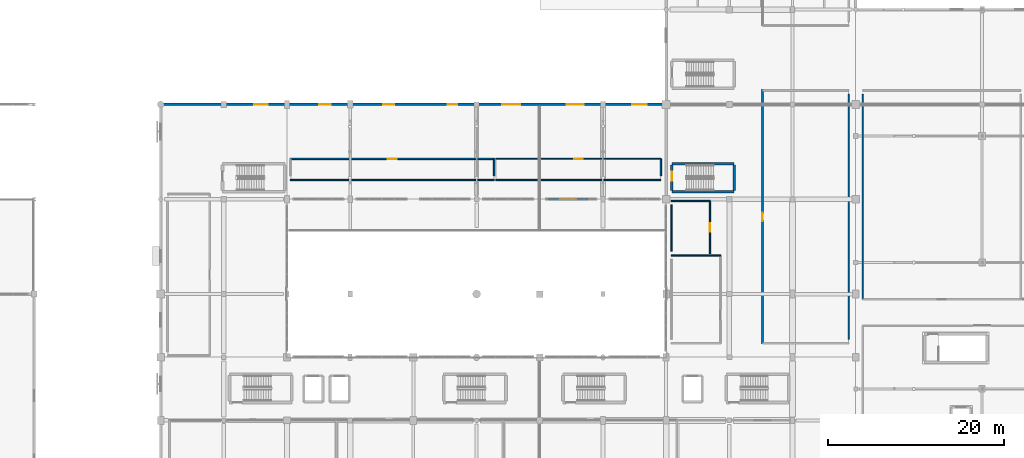
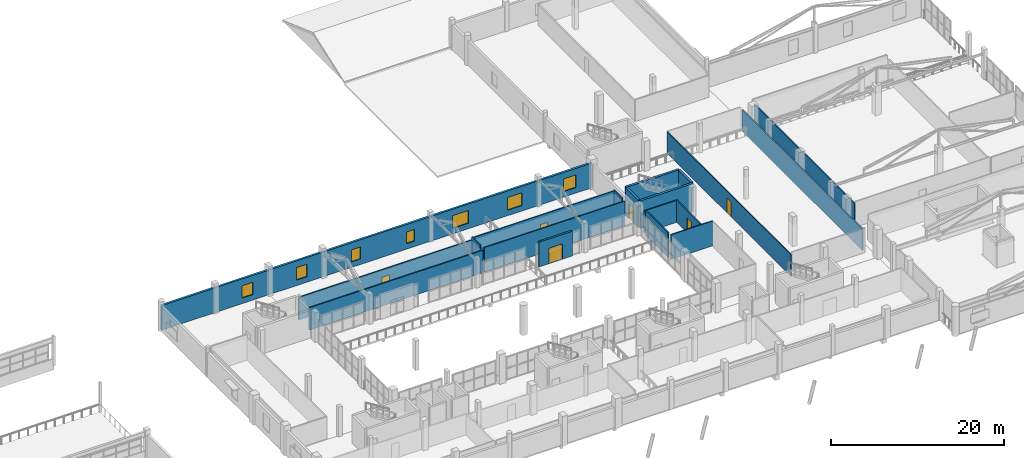
# One storey, part 69 of 92: 19 walls, 7 windows, 6 doors, 13 openings.
"""IFC4 building model written with IfcOpenShell, lengths in metres."""

from ifc_helpers import new_model, si_unit, direction, frame, frame_2d, origin, place, context, subcontext, project, spatial, rectangle, extrude, material, layer, layer_set, type_object, element, fill, save


model = new_model("IFC4")

# Units and contexts
model_context = context("Model", 3, precision=1e-05, world=origin(), true_north=direction((0.0, 1.0)))
body_context = subcontext(model_context, "Body", "Model", "MODEL_VIEW")
ifc_project = project(units=[si_unit("LENGTHUNIT", "METRE"), si_unit("AREAUNIT", "SQUARE_METRE"), si_unit("VOLUMEUNIT", "CUBIC_METRE"), si_unit("PLANEANGLEUNIT", "RADIAN"), si_unit("MASSUNIT", "GRAM", prefix="KILO")], contexts=[model_context])

# Site, building, storey
site_placement = place(None, origin())
site = spatial("IfcSite", under=ifc_project, at=site_placement, CompositionType="ELEMENT")
building_placement = place(site_placement, origin())
building = spatial("IfcBuilding", under=site, at=building_placement, Name="Solanera Park Tramway Depot", CompositionType="ELEMENT")
storey_placement = place(building_placement, frame((0.0, 0.0, 4.800048828125)))
storey = spatial("IfcBuildingStorey", under=building, at=storey_placement, Name="L01", CompositionType="ELEMENT", Elevation=4.800048828125)

# Wall, opening, door
ifc_material_1 = material(Name="Concrete N32 (C32/40)", Category="concrete")
ifc_layer_1 = layer(ifc_material_1, 0.125)
ifc_layer_set_1 = layer_set([ifc_layer_1], Name="Concrete N32 (C32/40)")
wall_type_1 = type_object("IfcWallType", Name="Acoustic Partition 125", PredefinedType="PARTITIONING", material=ifc_layer_set_1)
wall_1_placement = place(storey_placement, frame((146.199951171875, 47.800048828125, 0.0), z_axis=(0.0, 0.0, 1.0), x_axis=(1.0, 0.0, 0.0)))
wall_1 = element("IfcWall", 1, at=wall_1_placement, inside=storey, type_object=wall_type_1, Name="Driver Quiet Rest and Fatigue Recovery Corridor Wall", PredefinedType="PARTITIONING", context=body_context, shape_type="SweptSolid", body=[
    extrude(rectangle(XDim=18.800048828125, YDim=0.125, at=frame_2d((9.39990234375, 0.0))), origin(), (0.0, 0.0, 1.0), 3.478759765625),
])
opening_1_placement = place(wall_1_placement, frame((8.919921875, 0.0, 0.0)))
opening_1 = element("IfcOpeningElement", 2, at=opening_1_placement, cuts=wall_1, Name="Opening ID-O1L", PredefinedType="OPENING", context=body_context, shape_type="SweptSolid", body=[
    extrude(rectangle(XDim=0.9599609375, YDim=2.14990234375, at=frame_2d((0.47998046875, 1.074951171875))), frame((0.0, 0.072509765625, 0.0), z_axis=(0.0, -1.0, 0.0), x_axis=(1.0, 0.0, 0.0)), (0.0, 0.0, 1.0), 0.14501953125),
])
ifc_material_2 = material(Name="Fire-rated steel or solid-core hardwood door leaf", Category="steel")
door_type_1 = type_object("IfcDoorType", Name="Office Single Door L 960x2150", OperationType="SINGLE_SWING_LEFT", PredefinedType="DOOR", material=ifc_material_2)
door_1_placement = place(opening_1_placement, origin())
door_1 = element("IfcDoor", 3, at=door_1_placement, inside=storey, type_object=door_type_1, Name="Driver Quiet Rest and Fatigue Recovery Door", OperationType="SINGLE_SWING_LEFT", OverallHeight=2.14990234375, OverallWidth=0.9599609375, PredefinedType="DOOR", context=body_context, shape_type="SweptSolid", body=[
    extrude(rectangle(XDim=0.9599609375, YDim=2.14990234375, at=frame_2d((0.47998046875, 1.074951171875))), frame((0.0, 0.02490234375, 0.0), z_axis=(0.0, -1.0, 0.0), x_axis=(1.0, 0.0, 0.0)), (0.0, 0.0, 1.0), 0.050048828125),
])
fill(opening_1, door_1)

# Walls
ifc_material_3 = material(Name="Concrete N32 (C32/40)", Category="concrete")
ifc_layer_2 = layer(ifc_material_3, 0.14990234375)
ifc_layer_set_2 = layer_set([ifc_layer_2], Name="Concrete N32 (C32/40)")
wall_type_2 = type_object("IfcWallType", Name="Acoustic Partition 150", PredefinedType="PARTITIONING", material=ifc_layer_set_2)
wall_2_placement = place(storey_placement, frame((146.0, 45.39990234375, 0.0), z_axis=(0.0, 0.0, 1.0), x_axis=(-1.0, 0.0, 0.0)))
element("IfcWall", 4, at=wall_2_placement, inside=storey, type_object=wall_type_2, Name="Courtyard View Crew Dining Mess Hall Dividing Wall", PredefinedType="PARTITIONING", context=body_context, shape_type="SweptSolid", body=[
    extrude(rectangle(XDim=23.199951171875, YDim=0.14990234375, at=frame_2d((11.60009765625, 0.0))), origin(), (0.0, 0.0, 1.0), 3.17431640625),
])
wall_3_placement = place(storey_placement, frame((146.0, 45.85009765625, 0.0), z_axis=(0.0, 0.0, 1.0), x_axis=(0.0, 1.0, 0.0)))
element("IfcWall", 5, at=wall_3_placement, inside=storey, type_object=wall_type_2, Name="Courtyard View Crew Dining Mess Hall Dividing Wall", PredefinedType="PARTITIONING", context=body_context, shape_type="SweptSolid", body=[
    extrude(rectangle(XDim=1.949951171875, YDim=0.14990234375, at=frame_2d((0.97509765625, 0.0))), origin(), (0.0, 0.0, 1.0), 3.599853515625),
])
wall_4_placement = place(storey_placement, frame((165.0, 45.39990234375, 0.0), z_axis=(0.0, 0.0, 1.0), x_axis=(-1.0, 0.0, 0.0)))
element("IfcWall", 6, at=wall_4_placement, inside=storey, type_object=wall_type_2, Name="Driver Quiet Rest and Fatigue Recovery Dividing Wall", PredefinedType="PARTITIONING", context=body_context, shape_type="SweptSolid", body=[
    extrude(rectangle(XDim=18.800048828125, YDim=0.14990234375, at=frame_2d((9.39990234375, 0.0))), origin(), (0.0, 0.0, 1.0), 3.478759765625),
])
wall_5_placement = place(storey_placement, frame((165.0, 45.85009765625, 0.0), z_axis=(0.0, 0.0, 1.0), x_axis=(0.0, 1.0, 0.0)))
element("IfcWall", 7, at=wall_5_placement, inside=storey, type_object=wall_type_2, Name="Driver Quiet Rest and Fatigue Recovery Dividing Wall", PredefinedType="PARTITIONING", context=body_context, shape_type="SweptSolid", body=[
    extrude(rectangle(XDim=1.949951171875, YDim=0.14990234375, at=frame_2d((0.97509765625, 0.0))), origin(), (0.0, 0.0, 1.0), 3.599853515625),
])
wall_6_placement = place(storey_placement, frame((186.39990234375, 27.25, 0.0), z_axis=(0.0, 0.0, 1.0), x_axis=(0.0, 1.0, 0.0)))
element("IfcWall", 8, at=wall_6_placement, inside=storey, type_object=wall_type_2, Name="Fleet Maintenance Engineering Open Plan Dividing Wall", PredefinedType="PARTITIONING", context=body_context, shape_type="SweptSolid", body=[
    extrude(rectangle(XDim=27.89990234375, YDim=0.14990234375, at=frame_2d((13.949951171875, 0.0))), origin(), (0.0, 0.0, 1.0), 3.0068359375),
])
wall_7_placement = place(storey_placement, frame((188.0, 55.14990234375, 0.0), z_axis=(0.0, 0.0, 1.0), x_axis=(0.0, -1.0, 0.0)))
element("IfcWall", 9, at=wall_7_placement, inside=storey, type_object=wall_type_2, Name="Tropical Transit Archive Reading Room Dividing Wall", PredefinedType="PARTITIONING", context=body_context, shape_type="SweptSolid", body=[
    extrude(rectangle(XDim=23.349853515625, YDim=0.14990234375, at=frame_2d((11.6748046875, 0.0))), origin(), (0.0, 0.0, 1.0), 3.28369140625),
])

# Wall, opening, door
ifc_material_4 = material(Name="Concrete N32 (C32/40)", Category="concrete")
ifc_layer_3 = layer(ifc_material_4, 0.179931640625)
ifc_layer_set_3 = layer_set([ifc_layer_3], Name="Concrete N32 (C32/40)")
wall_type_3 = type_object("IfcWallType", Name="Cafe Separation Wall 180", PredefinedType="SOLIDWALL", material=ifc_layer_set_3)
wall_8_placement = place(storey_placement, frame((122.800048828125, 47.800048828125, 0.0), z_axis=(0.0, 0.0, 1.0), x_axis=(1.0, 0.0, 0.0)))
wall_8 = element("IfcWall", 10, at=wall_8_placement, inside=storey, type_object=wall_type_3, Name="Courtyard View Crew Dining Mess Hall Corridor Wall", PredefinedType="SOLIDWALL", context=body_context, shape_type="SweptSolid", body=[
    extrude(rectangle(XDim=23.199951171875, YDim=0.179931640625, at=frame_2d((11.60009765625, 0.0))), origin(), (0.0, 0.0, 1.0), 3.17431640625),
])
opening_2_placement = place(wall_8_placement, frame((11.090087890625, 0.0, 0.0)))
opening_2 = element("IfcOpeningElement", 11, at=opening_2_placement, cuts=wall_8, Name="Opening FD-C1R", PredefinedType="OPENING", context=body_context, shape_type="SweptSolid", body=[
    extrude(rectangle(XDim=1.02001953125, YDim=2.14990234375, at=frame_2d((0.510009765625, 1.074951171875))), frame((0.0, 0.10009765625, 0.0), z_axis=(0.0, -1.0, 0.0), x_axis=(1.0, 0.0, 0.0)), (0.0, 0.0, 1.0), 0.199951171875),
])
ifc_material_5 = material(Name="Fire-rated steel or solid-core hardwood door leaf", Category="steel")
door_type_2 = type_object("IfcDoorType", Name="Compartment Fire Door R 1020x2150", OperationType="SINGLE_SWING_RIGHT", PredefinedType="DOOR", material=ifc_material_5)
door_2_placement = place(opening_2_placement, origin())
door_2 = element("IfcDoor", 12, at=door_2_placement, inside=storey, type_object=door_type_2, Name="Courtyard View Crew Dining Mess Hall Door", OperationType="SINGLE_SWING_RIGHT", OverallHeight=2.14990234375, OverallWidth=1.02001953125, PredefinedType="DOOR", context=body_context, shape_type="SweptSolid", body=[
    extrude(rectangle(XDim=1.02001953125, YDim=2.14990234375, at=frame_2d((0.510009765625, 1.074951171875))), frame((0.0, 0.02490234375, 0.0), z_axis=(0.0, -1.0, 0.0), x_axis=(1.0, 0.0, 0.0)), (0.0, 0.0, 1.0), 0.050048828125),
])
fill(opening_2, door_2)

# Walls
ifc_material_6 = material(Name="Concrete N40 (C40/50)", Category="concrete")
ifc_layer_4 = layer(ifc_material_6, 0.300048828125)
ifc_layer_set_4 = layer_set([ifc_layer_4], Name="Concrete N40 (C40/50)")
wall_type_4 = type_object("IfcWallType", Name="Core Shear Wall 300", PredefinedType="SHEAR", material=ifc_layer_set_4)
for number, where, z_axis, x_axis, name in (
    (13, (166.25, 44.050048828125, 0.0), (0.0, 0.0, 1.0), (1.0, 0.0, 0.0), "ST-05 L01 Shear Core Wall S"),
    (14, (173.35009765625, 47.25, 0.0), (0.0, 0.0, 1.0), (-1.0, 0.0, 0.0), "ST-05 L01 Shear Core Wall N"),
):
    element("IfcWall", number, at=place(storey_placement, frame(where, z_axis=z_axis, x_axis=x_axis)), inside=storey, type_object=wall_type_4, Name=name, PredefinedType="SHEAR", context=body_context, shape_type="SweptSolid", body=[
        extrude(rectangle(XDim=7.10009765625, YDim=0.300048828125, at=frame_2d((3.550048828125, 0.0))), origin(), (0.0, 0.0, 1.0), 3.925048828125),
    ])
wall_9_placement = place(storey_placement, frame((173.35009765625, 44.199951171875, 0.0), z_axis=(0.0, 0.0, 1.0), x_axis=(0.0, 1.0, 0.0)))
element("IfcWall", 15, at=wall_9_placement, inside=storey, type_object=wall_type_4, Name="ST-05 L01 Shear Core Wall E", PredefinedType="SHEAR", context=body_context, shape_type="SweptSolid", body=[
    extrude(rectangle(XDim=2.900146484375, YDim=0.300048828125, at=frame_2d((1.4501953125, 0.0))), origin(), (0.0, 0.0, 1.0), 3.925048828125),
])

# Wall, opening, door
wall_10_placement = place(storey_placement, frame((166.25, 47.10009765625, 0.0), z_axis=(0.0, 0.0, 1.0), x_axis=(0.0, -1.0, 0.0)))
wall_10 = element("IfcWall", 16, at=wall_10_placement, inside=storey, type_object=wall_type_4, Name="ST-05 L01 Shear Core Wall W", PredefinedType="SHEAR", context=body_context, shape_type="SweptSolid", body=[
    extrude(rectangle(XDim=2.900146484375, YDim=0.300048828125, at=frame_2d((1.4501953125, 0.0))), origin(), (0.0, 0.0, 1.0), 3.925048828125),
])
opening_3_placement = place(wall_10_placement, frame((0.75, 0.0, 0.0)))
opening_3 = element("IfcOpeningElement", 17, at=opening_3_placement, cuts=wall_10, Name="Opening FD-S1R", PredefinedType="OPENING", context=body_context, shape_type="SweptSolid", body=[
    extrude(rectangle(XDim=1.070068359375, YDim=2.14990234375, at=frame_2d((0.53515625, 1.074951171875))), frame((0.0, 0.16015625, 0.0), z_axis=(0.0, -1.0, 0.0), x_axis=(1.0, 0.0, 0.0)), (0.0, 0.0, 1.0), 0.320068359375),
])
ifc_material_7 = material(Name="Fire-rated steel or solid-core hardwood door leaf", Category="steel")
door_type_3 = type_object("IfcDoorType", Name="Stair Fire Door R 1070x2150", OperationType="SINGLE_SWING_RIGHT", PredefinedType="DOOR", material=ifc_material_7)
door_3_placement = place(opening_3_placement, origin())
door_3 = element("IfcDoor", 18, at=door_3_placement, inside=storey, type_object=door_type_3, Name="ST-05 L01 Stair Fire Door", OperationType="SINGLE_SWING_RIGHT", OverallHeight=2.14990234375, OverallWidth=1.070068359375, PredefinedType="DOOR", context=body_context, shape_type="SweptSolid", body=[
    extrude(rectangle(XDim=1.070068359375, YDim=2.14990234375, at=frame_2d((0.53515625, 1.074951171875))), frame((0.0, 0.02490234375, 0.0), z_axis=(0.0, -1.0, 0.0), x_axis=(1.0, 0.0, 0.0)), (0.0, 0.0, 1.0), 0.050048828125),
])
fill(opening_3, door_3)

ifc_material_8 = material(Name="Concrete N32 (C32/40)", Category="concrete")
ifc_layer_5 = layer(ifc_material_8, 0.25)
ifc_layer_set_5 = layer_set([ifc_layer_5], Name="Concrete N32 (C32/40)")
wall_type_5 = type_object("IfcWallType", Name="Ext Stucco Wall 250", PredefinedType="SOLIDWALL", material=ifc_layer_set_5)
wall_11_placement = place(storey_placement, frame((152.199951171875, 43.199951171875, 0.0), z_axis=(0.0, 0.0, 1.0), x_axis=(1.0, 0.0, 0.0)))
wall_11 = element("IfcWall", 19, at=wall_11_placement, inside=storey, type_object=wall_type_5, Name="L01 Cloister East Balcony Portal Wall", PredefinedType="SOLIDWALL", context=body_context, shape_type="SweptSolid", body=[
    extrude(rectangle(XDim=4.5, YDim=0.25, at=frame_2d((2.25, 0.0))), origin(), (0.0, 0.0, 1.0), 3.5),
])
opening_4_placement = place(wall_11_placement, frame((1.35009765625, 0.0, 0.0)))
opening_4 = element("IfcOpeningElement", 20, at=opening_4_placement, cuts=wall_11, Name="Opening ED-02", PredefinedType="OPENING", context=body_context, shape_type="SweptSolid", body=[
    extrude(rectangle(XDim=1.800048828125, YDim=2.199951171875, at=frame_2d((0.89990234375, 1.10009765625))), frame((0.0, 0.135009765625, 0.0), z_axis=(0.0, -1.0, 0.0), x_axis=(1.0, 0.0, 0.0)), (0.0, 0.0, 1.0), 0.27001953125),
])
ifc_material_9 = material(Name="Powder-coated aluminium and steel portal leaf", Category="steel")
door_type_4 = type_object("IfcDoorType", Name="Cloister Terrace Double Door 1800x2200", OperationType="DOUBLE_SWING_RIGHT", PredefinedType="DOOR", material=ifc_material_9)
door_4_placement = place(opening_4_placement, origin())
door_4 = element("IfcDoor", 21, at=door_4_placement, inside=storey, type_object=door_type_4, Name="Courtyard Cloister East Balcony Door", OperationType="DOUBLE_SWING_RIGHT", OverallHeight=2.199951171875, OverallWidth=1.800048828125, PredefinedType="DOOR", context=body_context, shape_type="SweptSolid", body=[
    extrude(rectangle(XDim=1.800048828125, YDim=2.199951171875, at=frame_2d((0.89990234375, 1.10009765625))), frame((0.0, 0.02490234375, 0.0), z_axis=(0.0, -1.0, 0.0), x_axis=(1.0, 0.0, 0.0)), (0.0, 0.0, 1.0), 0.050048828125),
])
fill(opening_4, door_4)

# Wall, openings, windows
ifc_material_10 = material(Name="Concrete N32 (C32/40)", Category="concrete")
ifc_layer_6 = layer(ifc_material_10, 0.280029296875)
ifc_layer_set_6 = layer_set([ifc_layer_6], Name="Concrete N32 (C32/40)")
wall_type_6 = type_object("IfcWallType", Name="Ext Stucco Wall 280", PredefinedType="SOLIDWALL", material=ifc_layer_set_6)
wall_12_placement = place(storey_placement, frame((165.60009765625, 54.0, 0.0), z_axis=(0.0, 0.0, 1.0), x_axis=(-1.0, 0.0, 0.0)))
wall_12 = element("IfcWall", 22, at=wall_12_placement, inside=storey, type_object=wall_type_6, Name="L01 Exterior Wall #025", PredefinedType="SOLIDWALL", context=body_context, shape_type="SweptSolid", body=[
    extrude(rectangle(XDim=57.60009765625, YDim=0.280029296875, at=frame_2d((28.800048828125, 0.0))), origin(), (0.0, 0.0, 1.0), 3.5),
])
opening_5_placement = place(wall_12_placement, frame((2.199951171875, 0.0, 0.780029296875)))
opening_5 = element("IfcOpeningElement", 23, at=opening_5_placement, cuts=wall_12, Name="Opening WN-C16", PredefinedType="OPENING", context=body_context, shape_type="SweptSolid", body=[
    extrude(rectangle(XDim=1.64990234375, YDim=1.800048828125, at=frame_2d((0.824951171875, 0.89990234375))), frame((0.0, 0.14990234375, 0.0), z_axis=(0.0, -1.0, 0.0), x_axis=(1.0, 0.0, 0.0)), (0.0, 0.0, 1.0), 0.300048828125),
])
opening_6_placement = place(wall_12_placement, frame((9.39990234375, 0.0, 0.780029296875)))
opening_6 = element("IfcOpeningElement", 24, at=opening_6_placement, cuts=wall_12, Name="Opening WN-C19", PredefinedType="OPENING", context=body_context, shape_type="SweptSolid", body=[
    extrude(rectangle(XDim=1.949951171875, YDim=1.800048828125, at=frame_2d((0.97509765625, 0.89990234375))), frame((0.0, 0.14990234375, 0.0), z_axis=(0.0, -1.0, 0.0), x_axis=(1.0, 0.0, 0.0)), (0.0, 0.0, 1.0), 0.300048828125),
])
opening_7_placement = place(wall_12_placement, frame((16.60009765625, 0.0, 0.780029296875)))
opening_7 = element("IfcOpeningElement", 25, at=opening_7_placement, cuts=wall_12, Name="Opening WN-C21", PredefinedType="OPENING", context=body_context, shape_type="SweptSolid", body=[
    extrude(rectangle(XDim=2.10009765625, YDim=1.800048828125, at=frame_2d((1.050048828125, 0.89990234375))), frame((0.0, 0.14990234375, 0.0), z_axis=(0.0, -1.0, 0.0), x_axis=(1.0, 0.0, 0.0)), (0.0, 0.0, 1.0), 0.300048828125),
])
opening_8_placement = place(wall_12_placement, frame((23.800048828125, 0.0, 0.780029296875)))
opening_8 = element("IfcOpeningElement", 26, at=opening_8_placement, cuts=wall_12, Name="Opening WN-C11", PredefinedType="OPENING", context=body_context, shape_type="SweptSolid", body=[
    extrude(rectangle(XDim=1.10009765625, YDim=1.64990234375, at=frame_2d((0.550048828125, 0.824951171875))), frame((0.0, 0.14990234375, 0.0), z_axis=(0.0, -1.0, 0.0), x_axis=(1.0, 0.0, 0.0)), (0.0, 0.0, 1.0), 0.300048828125),
])
opening_9_placement = place(wall_12_placement, frame((31.0, 0.0, 0.780029296875)))
opening_9 = element("IfcOpeningElement", 27, at=opening_9_placement, cuts=wall_12, Name="Opening WN-C12", PredefinedType="OPENING", context=body_context, shape_type="SweptSolid", body=[
    extrude(rectangle(XDim=1.25, YDim=1.699951171875, at=frame_2d((0.625, 0.85009765625))), frame((0.0, 0.14990234375, 0.0), z_axis=(0.0, -1.0, 0.0), x_axis=(1.0, 0.0, 0.0)), (0.0, 0.0, 1.0), 0.300048828125),
])
opening_10_placement = place(wall_12_placement, frame((38.199951171875, 0.0, 0.780029296875)))
opening_10 = element("IfcOpeningElement", 28, at=opening_10_placement, cuts=wall_12, Name="Opening WN-C13", PredefinedType="OPENING", context=body_context, shape_type="SweptSolid", body=[
    extrude(rectangle(XDim=1.35009765625, YDim=1.75, at=frame_2d((0.675048828125, 0.875))), frame((0.0, 0.14990234375, 0.0), z_axis=(0.0, -1.0, 0.0), x_axis=(1.0, 0.0, 0.0)), (0.0, 0.0, 1.0), 0.300048828125),
])
opening_11_placement = place(wall_12_placement, frame((45.39990234375, 0.0, 0.780029296875)))
opening_11 = element("IfcOpeningElement", 29, at=opening_11_placement, cuts=wall_12, Name="Opening WN-C15", PredefinedType="OPENING", context=body_context, shape_type="SweptSolid", body=[
    extrude(rectangle(XDim=1.5, YDim=1.75, at=frame_2d((0.75, 0.875))), frame((0.0, 0.14990234375, 0.0), z_axis=(0.0, -1.0, 0.0), x_axis=(1.0, 0.0, 0.0)), (0.0, 0.0, 1.0), 0.300048828125),
])
ifc_material_11 = material(Name="Powder-coated aluminium frame with solar-control double glazing", Category="aluminium")
window_type_1 = type_object("IfcWindowType", Name="Cloister Casement Window 1100x1650", PartitioningType="SINGLE_PANEL", PredefinedType="WINDOW", material=ifc_material_11)
window_1_placement = place(opening_8_placement, origin())
window_1 = element("IfcWindow", 30, at=window_1_placement, inside=storey, type_object=window_type_1, Name="L01 Cloister Casement Window 1100x1650 #0120", OverallHeight=1.64990234375, OverallWidth=1.10009765625, PartitioningType="SINGLE_PANEL", PredefinedType="WINDOW", context=body_context, shape_type="SweptSolid", body=[
    extrude(rectangle(XDim=1.10009765625, YDim=1.64990234375, at=frame_2d((0.550048828125, 0.824951171875))), frame((0.0, 0.030029296875, 0.0), z_axis=(0.0, -1.0, 0.0), x_axis=(1.0, 0.0, 0.0)), (0.0, 0.0, 1.0), 0.06005859375),
])
fill(opening_8, window_1)
ifc_material_12 = material(Name="Powder-coated aluminium frame with solar-control double glazing", Category="aluminium")
window_type_2 = type_object("IfcWindowType", Name="Cloister Casement Window 1250x1700", PartitioningType="SINGLE_PANEL", PredefinedType="WINDOW", material=ifc_material_12)
window_2_placement = place(opening_9_placement, origin())
window_2 = element("IfcWindow", 31, at=window_2_placement, inside=storey, type_object=window_type_2, Name="L01 Cloister Casement Window 1250x1700 #0121", OverallHeight=1.699951171875, OverallWidth=1.25, PartitioningType="SINGLE_PANEL", PredefinedType="WINDOW", context=body_context, shape_type="SweptSolid", body=[
    extrude(rectangle(XDim=1.25, YDim=1.699951171875, at=frame_2d((0.625, 0.85009765625))), frame((0.0, 0.030029296875, 0.0), z_axis=(0.0, -1.0, 0.0), x_axis=(1.0, 0.0, 0.0)), (0.0, 0.0, 1.0), 0.06005859375),
])
fill(opening_9, window_2)
ifc_material_13 = material(Name="Powder-coated aluminium frame with solar-control double glazing", Category="aluminium")
window_type_3 = type_object("IfcWindowType", Name="Cloister Casement Window 1350x1750", PartitioningType="SINGLE_PANEL", PredefinedType="WINDOW", material=ifc_material_13)
window_3_placement = place(opening_10_placement, origin())
window_3 = element("IfcWindow", 32, at=window_3_placement, inside=storey, type_object=window_type_3, Name="L01 Cloister Casement Window 1350x1750 #0122", OverallHeight=1.75, OverallWidth=1.35009765625, PartitioningType="SINGLE_PANEL", PredefinedType="WINDOW", context=body_context, shape_type="SweptSolid", body=[
    extrude(rectangle(XDim=1.35009765625, YDim=1.75, at=frame_2d((0.675048828125, 0.875))), frame((0.0, 0.030029296875, 0.0), z_axis=(0.0, -1.0, 0.0), x_axis=(1.0, 0.0, 0.0)), (0.0, 0.0, 1.0), 0.06005859375),
])
fill(opening_10, window_3)
ifc_material_14 = material(Name="Powder-coated aluminium frame with solar-control double glazing", Category="aluminium")
window_type_4 = type_object("IfcWindowType", Name="Cloister Casement Window 1500x1750", PartitioningType="SINGLE_PANEL", PredefinedType="WINDOW", material=ifc_material_14)
window_4_placement = place(opening_11_placement, origin())
window_4 = element("IfcWindow", 33, at=window_4_placement, inside=storey, type_object=window_type_4, Name="L01 Cloister Casement Window 1500x1750 #0123", OverallHeight=1.75, OverallWidth=1.5, PartitioningType="SINGLE_PANEL", PredefinedType="WINDOW", context=body_context, shape_type="SweptSolid", body=[
    extrude(rectangle(XDim=1.5, YDim=1.75, at=frame_2d((0.75, 0.875))), frame((0.0, 0.030029296875, 0.0), z_axis=(0.0, -1.0, 0.0), x_axis=(1.0, 0.0, 0.0)), (0.0, 0.0, 1.0), 0.06005859375),
])
fill(opening_11, window_4)
ifc_material_15 = material(Name="Powder-coated aluminium frame with solar-control double glazing", Category="aluminium")
window_type_5 = type_object("IfcWindowType", Name="Cloister Casement Window 1650x1800", PartitioningType="SINGLE_PANEL", PredefinedType="WINDOW", material=ifc_material_15)
window_5_placement = place(opening_5_placement, origin())
window_5 = element("IfcWindow", 34, at=window_5_placement, inside=storey, type_object=window_type_5, Name="L01 Cloister Casement Window 1650x1800 #0117", OverallHeight=1.800048828125, OverallWidth=1.64990234375, PartitioningType="SINGLE_PANEL", PredefinedType="WINDOW", context=body_context, shape_type="SweptSolid", body=[
    extrude(rectangle(XDim=1.64990234375, YDim=1.800048828125, at=frame_2d((0.824951171875, 0.89990234375))), frame((0.0, 0.030029296875, 0.0), z_axis=(0.0, -1.0, 0.0), x_axis=(1.0, 0.0, 0.0)), (0.0, 0.0, 1.0), 0.06005859375),
])
fill(opening_5, window_5)
ifc_material_16 = material(Name="Powder-coated aluminium frame with solar-control double glazing", Category="aluminium")
window_type_6 = type_object("IfcWindowType", Name="Cloister Casement Window 1950x1800", PartitioningType="SINGLE_PANEL", PredefinedType="WINDOW", material=ifc_material_16)
window_6_placement = place(opening_6_placement, origin())
window_6 = element("IfcWindow", 35, at=window_6_placement, inside=storey, type_object=window_type_6, Name="L01 Cloister Casement Window 1950x1800 #0118", OverallHeight=1.800048828125, OverallWidth=1.949951171875, PartitioningType="SINGLE_PANEL", PredefinedType="WINDOW", context=body_context, shape_type="SweptSolid", body=[
    extrude(rectangle(XDim=1.949951171875, YDim=1.800048828125, at=frame_2d((0.97509765625, 0.89990234375))), frame((0.0, 0.030029296875, 0.0), z_axis=(0.0, -1.0, 0.0), x_axis=(1.0, 0.0, 0.0)), (0.0, 0.0, 1.0), 0.06005859375),
])
fill(opening_6, window_6)
ifc_material_17 = material(Name="Powder-coated aluminium frame with solar-control double glazing", Category="aluminium")
window_type_7 = type_object("IfcWindowType", Name="Cloister Casement Window 2100x1800", PartitioningType="SINGLE_PANEL", PredefinedType="WINDOW", material=ifc_material_17)
window_7_placement = place(opening_7_placement, origin())
window_7 = element("IfcWindow", 36, at=window_7_placement, inside=storey, type_object=window_type_7, Name="L01 Cloister Casement Window 2100x1800 #0119", OverallHeight=1.800048828125, OverallWidth=2.10009765625, PartitioningType="SINGLE_PANEL", PredefinedType="WINDOW", context=body_context, shape_type="SweptSolid", body=[
    extrude(rectangle(XDim=2.10009765625, YDim=1.800048828125, at=frame_2d((1.050048828125, 0.89990234375))), frame((0.0, 0.030029296875, 0.0), z_axis=(0.0, -1.0, 0.0), x_axis=(1.0, 0.0, 0.0)), (0.0, 0.0, 1.0), 0.06005859375),
])
fill(opening_7, window_7)

# Walls
ifc_material_18 = material(Name="Concrete N32 (C32/40)", Category="concrete")
ifc_layer_7 = layer(ifc_material_18, 0.139892578125)
ifc_layer_set_7 = layer_set([ifc_layer_7], Name="Concrete N32 (C32/40)")
wall_type_7 = type_object("IfcWallType", Name="Wet Area Partition 140", PredefinedType="PARTITIONING", material=ifc_layer_set_7)
wall_13_placement = place(storey_placement, frame((166.199951171875, 36.800048828125, 0.0), z_axis=(0.0, 0.0, 1.0), x_axis=(1.0, 0.0, 0.0)))
element("IfcWall", 37, at=wall_13_placement, inside=storey, type_object=wall_type_7, Name="Quadrangle L01 Male and Female WC Dividing Wall", PredefinedType="PARTITIONING", context=body_context, shape_type="SweptSolid", body=[
    extrude(rectangle(XDim=5.60009765625, YDim=0.139892578125, at=frame_2d((2.800048828125, 0.0))), origin(), (0.0, 0.0, 1.0), 3.5),
])
wall_14_placement = place(storey_placement, frame((166.199951171875, 43.0, 0.0), z_axis=(0.0, 0.0, 1.0), x_axis=(1.0, 0.0, 0.0)))
element("IfcWall", 38, at=wall_14_placement, inside=storey, type_object=wall_type_7, Name="Quadrangle L01 Accessible WC Dividing Wall", PredefinedType="PARTITIONING", context=body_context, shape_type="SweptSolid", body=[
    extrude(rectangle(XDim=4.400146484375, YDim=0.139892578125, at=frame_2d((2.2001953125, 0.0))), origin(), (0.0, 0.0, 1.0), 3.10693359375),
])
wall_15_placement = place(storey_placement, frame((166.199951171875, 42.550048828125, 0.0), z_axis=(0.0, 0.0, 1.0), x_axis=(0.0, -1.0, 0.0)))
element("IfcWall", 39, at=wall_15_placement, inside=storey, type_object=wall_type_7, Name="Quadrangle L01 Accessible WC Dividing Wall", PredefinedType="PARTITIONING", context=body_context, shape_type="SweptSolid", body=[
    extrude(rectangle(XDim=5.300048828125, YDim=0.139892578125, at=frame_2d((2.64990234375, 0.0))), origin(), (0.0, 0.0, 1.0), 3.5),
])

# Wall, opening, door
wall_16_placement = place(storey_placement, frame((170.60009765625, 37.0, 0.0), z_axis=(0.0, 0.0, 1.0), x_axis=(0.0, 1.0, 0.0)))
wall_16 = element("IfcWall", 40, at=wall_16_placement, inside=storey, type_object=wall_type_7, Name="Quadrangle L01 Accessible WC Corridor Wall", PredefinedType="PARTITIONING", context=body_context, shape_type="SweptSolid", body=[
    extrude(rectangle(XDim=6.0, YDim=0.139892578125, at=frame_2d((3.0, 0.0))), origin(), (0.0, 0.0, 1.0), 3.10693359375),
])
opening_12_placement = place(wall_16_placement, frame((2.510009765625, 0.0, 0.0)))
opening_12 = element("IfcOpeningElement", 41, at=opening_12_placement, cuts=wall_16, Name="Opening ID-W1L", PredefinedType="OPENING", context=body_context, shape_type="SweptSolid", body=[
    extrude(rectangle(XDim=0.97998046875, YDim=2.14990234375, at=frame_2d((0.489990234375, 1.074951171875))), frame((0.0, 0.080078125, 0.0), z_axis=(0.0, -1.0, 0.0), x_axis=(1.0, 0.0, 0.0)), (0.0, 0.0, 1.0), 0.159912109375),
])
ifc_material_19 = material(Name="Fire-rated steel or solid-core hardwood door leaf", Category="steel")
door_type_5 = type_object("IfcDoorType", Name="Accessible WC Door L 980x2150", OperationType="SINGLE_SWING_LEFT", PredefinedType="DOOR", material=ifc_material_19)
door_5_placement = place(opening_12_placement, origin())
door_5 = element("IfcDoor", 42, at=door_5_placement, inside=storey, type_object=door_type_5, Name="Quadrangle L01 Accessible WC Door", OperationType="SINGLE_SWING_LEFT", OverallHeight=2.14990234375, OverallWidth=0.97998046875, PredefinedType="DOOR", context=body_context, shape_type="SweptSolid", body=[
    extrude(rectangle(XDim=0.97998046875, YDim=2.14990234375, at=frame_2d((0.489990234375, 1.074951171875))), frame((0.0, 0.02490234375, 0.0), z_axis=(0.0, -1.0, 0.0), x_axis=(1.0, 0.0, 0.0)), (0.0, 0.0, 1.0), 0.050048828125),
])
fill(opening_12, door_5)

ifc_material_20 = material(Name="Concrete N32 (C32/40)", Category="concrete")
ifc_layer_8 = layer(ifc_material_20, 0.110107421875)
ifc_layer_set_8 = layer_set([ifc_layer_8], Name="Concrete N32 (C32/40)")
wall_type_8 = type_object("IfcWallType", Name="Workshop Glazed Screen 110", PredefinedType="PARTITIONING", material=ifc_layer_set_8)
wall_17_placement = place(storey_placement, frame((176.60009765625, 55.60009765625, 0.0), z_axis=(0.0, 0.0, 1.0), x_axis=(0.0, -1.0, 0.0)))
wall_17 = element("IfcWall", 43, at=wall_17_placement, inside=storey, type_object=wall_type_8, Name="Fleet Maintenance Engineering Open Plan Corridor Wall", PredefinedType="PARTITIONING", context=body_context, shape_type="SweptSolid", body=[
    extrude(rectangle(XDim=28.800048828125, YDim=0.110107421875, at=frame_2d((14.39990234375, 0.0))), origin(), (0.0, 0.0, 1.0), 3.056884765625),
])
opening_13_placement = place(wall_17_placement, frame((13.9150390625, 0.0, 0.0)))
opening_13 = element("IfcOpeningElement", 44, at=opening_13_placement, cuts=wall_17, Name="Opening ID-O1R", PredefinedType="OPENING", context=body_context, shape_type="SweptSolid", body=[
    extrude(rectangle(XDim=0.969970703125, YDim=2.14990234375, at=frame_2d((0.48486328125, 1.074951171875))), frame((0.0, 0.06494140625, 0.0), z_axis=(0.0, -1.0, 0.0), x_axis=(1.0, 0.0, 0.0)), (0.0, 0.0, 1.0), 0.130126953125),
])
ifc_material_21 = material(Name="Fire-rated steel or solid-core hardwood door leaf", Category="steel")
door_type_6 = type_object("IfcDoorType", Name="Office Single Door R 970x2150", OperationType="SINGLE_SWING_RIGHT", PredefinedType="DOOR", material=ifc_material_21)
door_6_placement = place(opening_13_placement, origin())
door_6 = element("IfcDoor", 45, at=door_6_placement, inside=storey, type_object=door_type_6, Name="Fleet Maintenance Engineering Open Plan Door", OperationType="SINGLE_SWING_RIGHT", OverallHeight=2.14990234375, OverallWidth=0.969970703125, PredefinedType="DOOR", context=body_context, shape_type="SweptSolid", body=[
    extrude(rectangle(XDim=0.969970703125, YDim=2.14990234375, at=frame_2d((0.48486328125, 1.074951171875))), frame((0.0, 0.02490234375, 0.0), z_axis=(0.0, -1.0, 0.0), x_axis=(1.0, 0.0, 0.0)), (0.0, 0.0, 1.0), 0.050048828125),
])
fill(opening_13, door_6)

save(model, "model.ifc")
